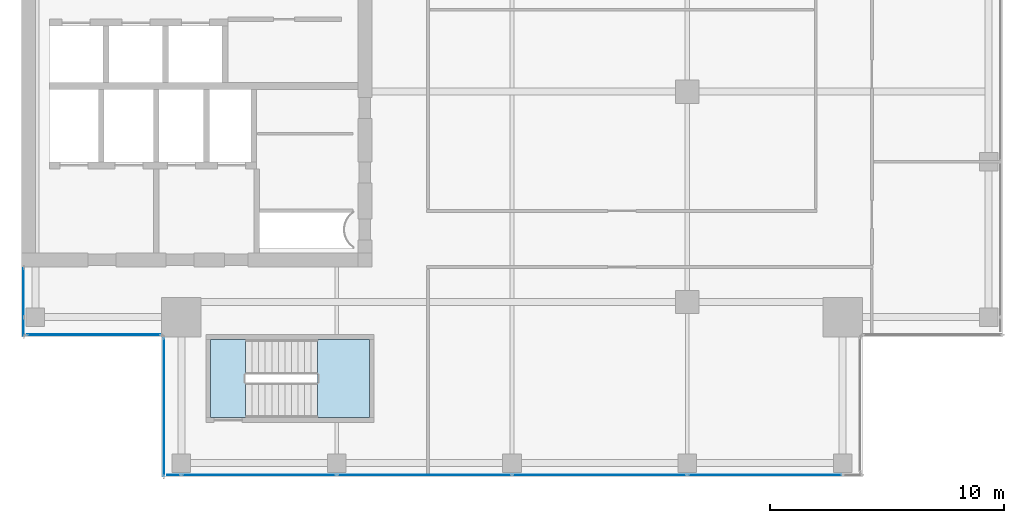
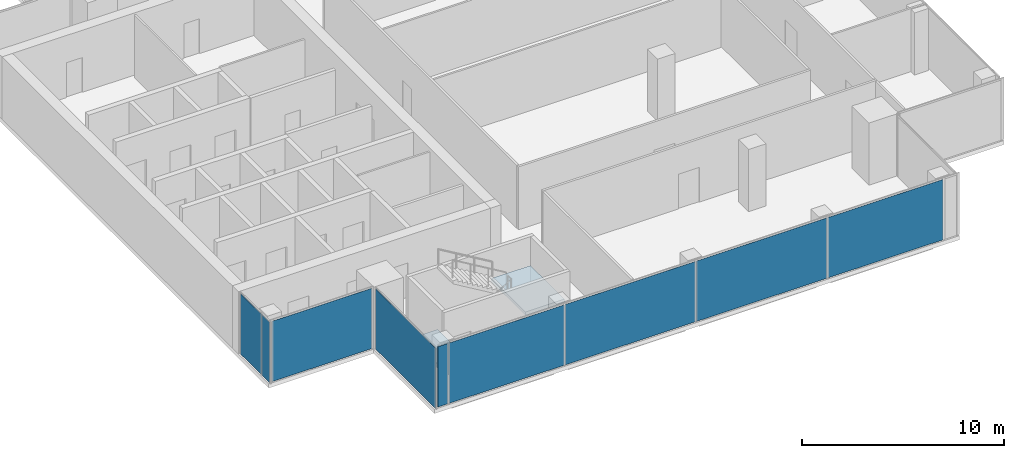
# One storey, part 20 of 29: 9 plates, 2 slabs, 5 elements without a shape of their own.
"""IFC4 building model written with IfcOpenShell, lengths in metres."""

from ifc_helpers import new_model, si_unit, direction, frame, origin, origin_2d, place, context, subcontext, project, spatial, polyline, rectangle, outline, extrude, source, transform, mapped, material, layer, layer_set, type_object, element, aggregate, save


model = new_model("IFC4")

# Units and contexts
model_context = context("Model", 3, precision=1e-05, world=origin(), true_north=direction((0.0, 1.0)))
body_context = subcontext(model_context, "Body", "Model", "MODEL_VIEW")
ifc_project = project(units=[si_unit("LENGTHUNIT", "METRE"), si_unit("AREAUNIT", "SQUARE_METRE"), si_unit("VOLUMEUNIT", "CUBIC_METRE"), si_unit("PLANEANGLEUNIT", "RADIAN"), si_unit("MASSUNIT", "GRAM", prefix="KILO")], contexts=[model_context])

# Site, building, storey
site_placement = place(None, origin())
site = spatial("IfcSite", under=ifc_project, at=site_placement, CompositionType="ELEMENT")
building_placement = place(site_placement, origin())
building = spatial("IfcBuilding", under=site, at=building_placement, Name="Khomas Fold Tower", CompositionType="ELEMENT")
storey_placement = place(building_placement, frame((0.0, 0.0, 314.199951171875)))
storey = spatial("IfcBuildingStorey", under=building, at=storey_placement, Name="L71", CompositionType="ELEMENT", Elevation=314.199951171875)

# Curtain wall, plates
ifc_material_1 = material(Name="Aluminium framed double glazing", Category="aluminium")
curtain_wall_type = type_object("IfcCurtainWallType", Name="SK-Unitised clear-glass wall, upper floors CW3", PredefinedType="NOTDEFINED", material=ifc_material_1)
curtain_wall_1_placement = place(storey_placement, origin())
curtain_wall_1 = element("IfcCurtainWall", 1, at=curtain_wall_1_placement, inside=storey, type_object=curtain_wall_type, Name="CW3 run L71 00-0", PredefinedType="NOTDEFINED")
ifc_material_2 = material(Name="Clear double glazed unit")
ifc_layer_1 = layer(ifc_material_2, 0.028076171875)
ifc_layer_set_1 = layer_set([ifc_layer_1], Name="Clear double glazed unit")
plate_type = type_object("IfcPlateType", Name="SK-Unitised clear-glass wall, upper floors glass panel CW3-P", PredefinedType="CURTAIN_PANEL", material=ifc_layer_set_1)
shared_shape_1 = source(origin(), body_context, "Body", "SweptSolid", [
    extrude(rectangle(XDim=0.574951171875, YDim=0.028076171875, at=origin_2d()), origin(), (0.0, 0.0, 1.0), 3.64990234375),
])
plate_1_placement = place(storey_placement, frame((12.53759765625, 6.10009765625, 0.0), z_axis=(0.0, 0.0, 1.0), x_axis=(1.0, 0.0, 0.0)))
plate_1 = element("IfcPlate", 2, at=plate_1_placement, type_object=plate_type, Name="CW3 glass panel 1", PredefinedType="CURTAIN_PANEL", context=body_context, shape_type="MappedRepresentation", body=[
    mapped(shared_shape_1, transform((0.0, 0.0, 0.0))),
])
shared_shape_2 = source(origin(), body_context, "Body", "SweptSolid", [
    extrude(rectangle(XDim=6.60009765625, YDim=0.028076171875, at=origin_2d()), origin(), (0.0, 0.0, 1.0), 3.64990234375),
])
plate_2_placement = place(storey_placement, frame((16.175048828125, 6.10009765625, 0.0), z_axis=(0.0, 0.0, 1.0), x_axis=(1.0, 0.0, 0.0)))
plate_2 = element("IfcPlate", 3, at=plate_2_placement, type_object=plate_type, Name="CW3 glass panel 2", PredefinedType="CURTAIN_PANEL", context=body_context, shape_type="MappedRepresentation", body=[
    mapped(shared_shape_2, transform((0.0, 0.0, 0.0))),
])
plate_3_placement = place(storey_placement, frame((37.824951171875, 6.10009765625, 0.0), z_axis=(0.0, 0.0, 1.0), x_axis=(1.0, 0.0, 0.0)))
plate_3 = element("IfcPlate", 4, at=plate_3_placement, type_object=plate_type, Name="CW3 glass panel 5", PredefinedType="CURTAIN_PANEL", context=body_context, shape_type="MappedRepresentation", body=[
    mapped(shared_shape_2, transform((0.0, 0.0, 0.0))),
])
shared_shape_3 = source(origin(), body_context, "Body", "SweptSolid", [
    extrude(rectangle(XDim=7.449951171875, YDim=0.028076171875, at=origin_2d()), origin(), (0.0, 0.0, 1.0), 3.64990234375),
])
plate_4_placement = place(storey_placement, frame((23.25, 6.10009765625, 0.0), z_axis=(0.0, 0.0, 1.0), x_axis=(1.0, 0.0, 0.0)))
plate_4 = element("IfcPlate", 5, at=plate_4_placement, type_object=plate_type, Name="CW3 glass panel 3", PredefinedType="CURTAIN_PANEL", context=body_context, shape_type="MappedRepresentation", body=[
    mapped(shared_shape_3, transform((0.0, 0.0, 0.0))),
])
plate_5_placement = place(storey_placement, frame((30.75, 6.10009765625, 0.0), z_axis=(0.0, 0.0, 1.0), x_axis=(1.0, 0.0, 0.0)))
plate_5 = element("IfcPlate", 6, at=plate_5_placement, type_object=plate_type, Name="CW3 glass panel 4", PredefinedType="CURTAIN_PANEL", context=body_context, shape_type="MappedRepresentation", body=[
    mapped(shared_shape_3, transform((0.0, 0.0, 0.0))),
])
aggregate(curtain_wall_1, [plate_1, plate_2, plate_4, plate_5, plate_3])

# Curtain wall, plate
curtain_wall_2_placement = place(storey_placement, origin())
curtain_wall_2 = element("IfcCurtainWall", 7, at=curtain_wall_2_placement, inside=storey, type_object=curtain_wall_type, Name="CW3 run L71 09-1", PredefinedType="NOTDEFINED")
shared_shape_4 = source(origin(), body_context, "Body", "SweptSolid", [
    extrude(rectangle(XDim=0.77490234375, YDim=0.028076171875, at=origin_2d()), origin(), (0.0, 0.0, 1.0), 3.64990234375),
])
plate_6_placement = place(storey_placement, frame((6.10009765625, 12.4375, 0.0), z_axis=(0.0, 0.0, 1.0), x_axis=(0.0, -1.0, 0.0)))
plate_6 = element("IfcPlate", 8, at=plate_6_placement, type_object=plate_type, Name="CW3 glass panel 2", PredefinedType="CURTAIN_PANEL", context=body_context, shape_type="MappedRepresentation", body=[
    mapped(shared_shape_4, transform((0.0, 0.0, 0.0))),
])

curtain_wall_3_placement = place(storey_placement, origin())
curtain_wall_3 = element("IfcCurtainWall", 9, at=curtain_wall_3_placement, inside=storey, type_object=curtain_wall_type, Name="CW3 corner return L71 10", PredefinedType="NOTDEFINED")
shared_shape_5 = source(origin(), body_context, "Body", "SweptSolid", [
    extrude(rectangle(XDim=5.699951171875, YDim=0.028076171875, at=origin_2d()), origin(), (0.0, 0.0, 1.0), 3.64990234375),
])
plate_7_placement = place(storey_placement, frame((9.10009765625, 12.10009765625, 0.0), z_axis=(0.0, 0.0, 1.0), x_axis=(1.0, 0.0, 0.0)))
plate_7 = element("IfcPlate", 10, at=plate_7_placement, type_object=plate_type, Name="CW3 glass panel 1", PredefinedType="CURTAIN_PANEL", context=body_context, shape_type="MappedRepresentation", body=[
    mapped(shared_shape_5, transform((0.0, 0.0, 0.0))),
])
aggregate(curtain_wall_3, [plate_7])

curtain_wall_4_placement = place(storey_placement, origin())
curtain_wall_4 = element("IfcCurtainWall", 11, at=curtain_wall_4_placement, inside=storey, type_object=curtain_wall_type, Name="CW3 corner return L71 11", PredefinedType="NOTDEFINED")
shared_shape_6 = source(origin(), body_context, "Body", "SweptSolid", [
    extrude(rectangle(XDim=5.89990234375, YDim=0.028076171875, at=origin_2d()), origin(), (0.0, 0.0, 1.0), 3.64990234375),
])
plate_8_placement = place(storey_placement, frame((12.10009765625, 9.0, 0.0), z_axis=(0.0, 0.0, 1.0), x_axis=(0.0, -1.0, 0.0)))
plate_8 = element("IfcPlate", 12, at=plate_8_placement, type_object=plate_type, Name="CW3 glass panel 1", PredefinedType="CURTAIN_PANEL", context=body_context, shape_type="MappedRepresentation", body=[
    mapped(shared_shape_6, transform((0.0, 0.0, 0.0))),
])
aggregate(curtain_wall_4, [plate_8])

# Plate
shared_shape_7 = source(origin(), body_context, "Body", "SweptSolid", [
    extrude(rectangle(XDim=2.074951171875, YDim=0.028076171875, at=origin_2d()), origin(), (0.0, 0.0, 1.0), 3.64990234375),
])
plate_9_placement = place(storey_placement, frame((6.10009765625, 13.91259765625, 0.0), z_axis=(0.0, 0.0, 1.0), x_axis=(0.0, -1.0, 0.0)))
plate_9 = element("IfcPlate", 13, at=plate_9_placement, type_object=plate_type, Name="CW3 glass panel 1", PredefinedType="CURTAIN_PANEL", context=body_context, shape_type="MappedRepresentation", body=[
    mapped(shared_shape_7, transform((0.0, 0.0, 0.0))),
])

aggregate(curtain_wall_2, [plate_9, plate_6])

# Stair, slab
ifc_material_3 = material(Name="Concrete C40/50", Category="concrete")
stair_type = type_object("IfcStairType", Name="Stair ST2", PredefinedType="HALF_TURN_STAIR", material=ifc_material_3)
stair_placement = place(storey_placement, origin())
stair = element("IfcStair", 14, at=stair_placement, inside=storey, type_object=stair_type, Name="L71 ST2", PredefinedType="HALF_TURN_STAIR")
ifc_material_4 = material(Name="Concrete C40/50", Category="concrete")
ifc_layer_2 = layer(ifc_material_4, 0.199951171875)
ifc_layer_set_2 = layer_set([ifc_layer_2], Name="Concrete C40/50")
slab_type_1 = type_object("IfcSlabType", Name="Stair landing 200", PredefinedType="LANDING", material=ifc_layer_set_2)
shared_shape_8 = source(origin(), body_context, "Body", "SweptSolid", [
    extrude(outline(polyline([(18.679931640625, 8.550048828125), (20.89990234375, 8.550048828125), (20.89990234375, 11.89990234375), (18.679931640625, 11.89990234375), (18.679931640625, 8.550048828125)])), origin(), (0.0, 0.0, 1.0), 0.199951171875),
])
slab_1_placement = place(storey_placement, frame((0.0, 0.0, 1.800048828125)))
slab_1 = element("IfcSlab", 15, at=slab_1_placement, type_object=slab_type_1, Name="ST2 landing 1", PredefinedType="LANDING", context=body_context, shape_type="MappedRepresentation", body=[
    mapped(shared_shape_8, transform((0.0, 0.0, 0.0))),
])
aggregate(stair, [slab_1])

# Slab
ifc_material_5 = material(Name="Concrete C40/50", Category="concrete")
ifc_layer_3 = layer(ifc_material_5, 0.25)
ifc_layer_set_3 = layer_set([ifc_layer_3], Name="Concrete C40/50")
slab_type_2 = type_object("IfcSlabType", Name="Stair floor landing 250", PredefinedType="LANDING", material=ifc_layer_set_3)
shared_shape_9 = source(origin(), body_context, "Body", "SweptSolid", [
    extrude(outline(polyline([(15.60009765625, 8.550048828125), (14.10009765625, 8.550048828125), (14.10009765625, 11.89990234375), (15.60009765625, 11.89990234375), (15.60009765625, 8.550048828125)])), origin(), (0.0, 0.0, 1.0), 0.25),
])
slab_2_placement = place(storey_placement, frame((0.0, 0.0, -0.25)))
element("IfcSlab", 16, at=slab_2_placement, inside=storey, type_object=slab_type_2, Name="ST2 floor landing", PredefinedType="LANDING", context=body_context, shape_type="MappedRepresentation", body=[
    mapped(shared_shape_9, transform((0.0, 0.0, 0.0))),
])

save(model, "model.ifc")
